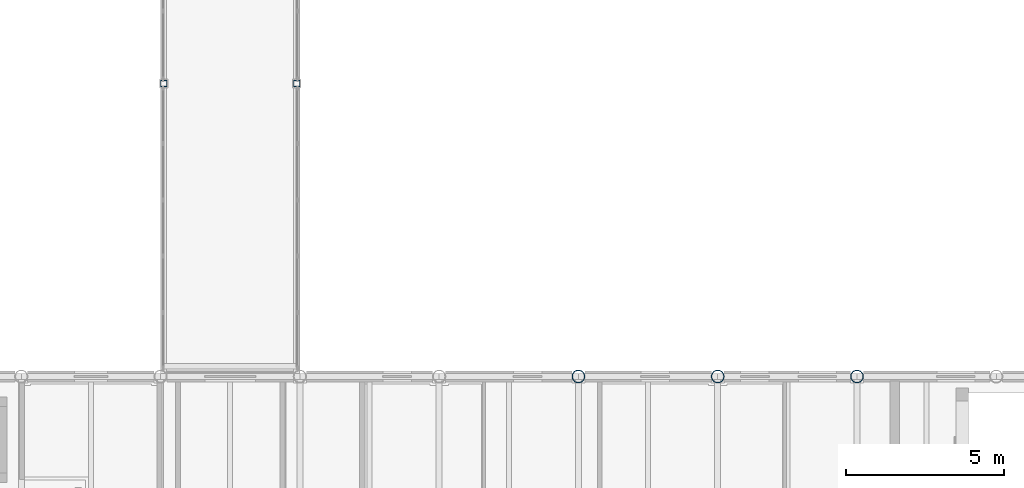
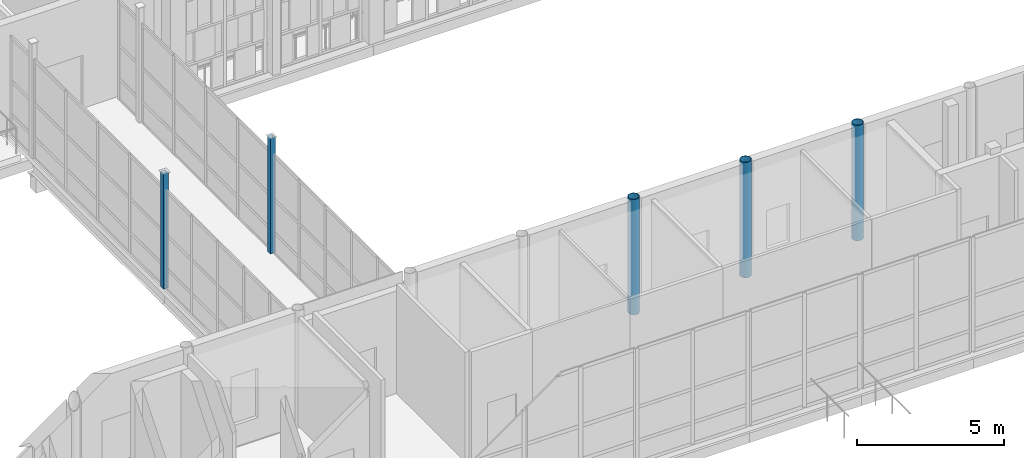
# One storey, part 11 of 138: 5 columns.
"""IFC4 building model written with IfcOpenShell, lengths in metres."""

from ifc_helpers import new_model, si_unit, direction, frame, origin, origin_2d, place, context, subcontext, project, spatial, hollow_rectangle, hollow_circle, extrude, material, material_profile, profile_set, type_object, element, save


model = new_model("IFC4")

# Units and contexts
model_context = context("Model", 3, precision=1e-05, world=origin(), true_north=direction((0.0, 1.0)))
body_context = subcontext(model_context, "Body", "Model", "MODEL_VIEW")
ifc_project = project(units=[si_unit("LENGTHUNIT", "METRE"), si_unit("AREAUNIT", "SQUARE_METRE"), si_unit("VOLUMEUNIT", "CUBIC_METRE"), si_unit("PLANEANGLEUNIT", "RADIAN"), si_unit("MASSUNIT", "GRAM", prefix="KILO")], contexts=[model_context])

# Site, building, storey
site_placement = place(None, origin())
site = spatial("IfcSite", under=ifc_project, at=site_placement, CompositionType="ELEMENT")
building_placement = place(site_placement, origin())
building = spatial("IfcBuilding", under=site, at=building_placement, Name="Celorna Specialist Clinic", CompositionType="ELEMENT")
storey_placement = place(building_placement, frame((0.0, 0.0, 4.800048828125)))
storey = spatial("IfcBuildingStorey", under=building, at=storey_placement, Name="L01", CompositionType="ELEMENT", Elevation=4.800048828125)

# Columns
ifc_material = material(Name="Steel S355", Category="steel")
ifc_material_profile_1 = material_profile(ifc_material, hollow_circle(Radius=0.203125, WallThickness=0.01611328125, at=origin_2d()), Name="CHS 406.4x16")
ifc_profile_set_1 = profile_set([ifc_material_profile_1], Name="Steel S355")
column_type_1 = type_object("IfcColumnType", Name="CT-12", PredefinedType="COLUMN", material=ifc_profile_set_1)
for number, where, z_axis, x_axis, name in (
    (1, (85.39990234375, 78.0, 0.0), (0.0, 0.0, 1.0), (1.0, 0.0, 0.0), "Column CT-12 L01 X12/YP"),
    (2, (89.800048828125, 78.0, 0.0), (0.0, 0.0, 1.0), (1.0, 0.0, 0.0), "Column CT-12 L01 X13/YP"),
    (3, (94.199951171875, 78.0, 0.0), (0.0, 0.0, 1.0), (1.0, 0.0, 0.0), "Column CT-12 L01 X13/YP"),
):
    element("IfcColumn", number, at=place(storey_placement, frame(where, z_axis=z_axis, x_axis=x_axis)), inside=storey, type_object=column_type_1, Name=name, PredefinedType="COLUMN", context=body_context, shape_type="SweptSolid", body=[
        extrude(hollow_circle(Radius=0.203125, WallThickness=0.01611328125, at=origin_2d()), origin(), (0.0, 0.0, 1.0), 4.800048828125),
    ])
ifc_material_profile_2 = material_profile(ifc_material, hollow_rectangle(XDim=0.199951171875, YDim=0.199951171875, WallThickness=0.010009765625, at=origin_2d()), Name="SHS 200x200x10")
ifc_profile_set_2 = profile_set([ifc_material_profile_2], Name="Steel S355")
column_type_2 = type_object("IfcColumnType", Name="CT-15", PredefinedType="COLUMN", material=ifc_profile_set_2)
for number, where, z_axis, x_axis, name in (
    (4, (72.300048828125, 87.25, 0.0), (0.0, 0.0, 1.0), (1.0, 0.0, 0.0), "Column CT-15 L01 X10/YQ"),
    (5, (76.5, 87.25, 0.0), (0.0, 0.0, 1.0), (1.0, 0.0, 0.0), "Column CT-15 L01 X11/YQ"),
):
    element("IfcColumn", number, at=place(storey_placement, frame(where, z_axis=z_axis, x_axis=x_axis)), inside=storey, type_object=column_type_2, Name=name, PredefinedType="COLUMN", context=body_context, shape_type="SweptSolid", body=[
        extrude(hollow_rectangle(XDim=0.199951171875, YDim=0.199951171875, WallThickness=0.010009765625, at=origin_2d()), origin(), (0.0, 0.0, 1.0), 4.800048828125),
    ])

save(model, "model.ifc")
